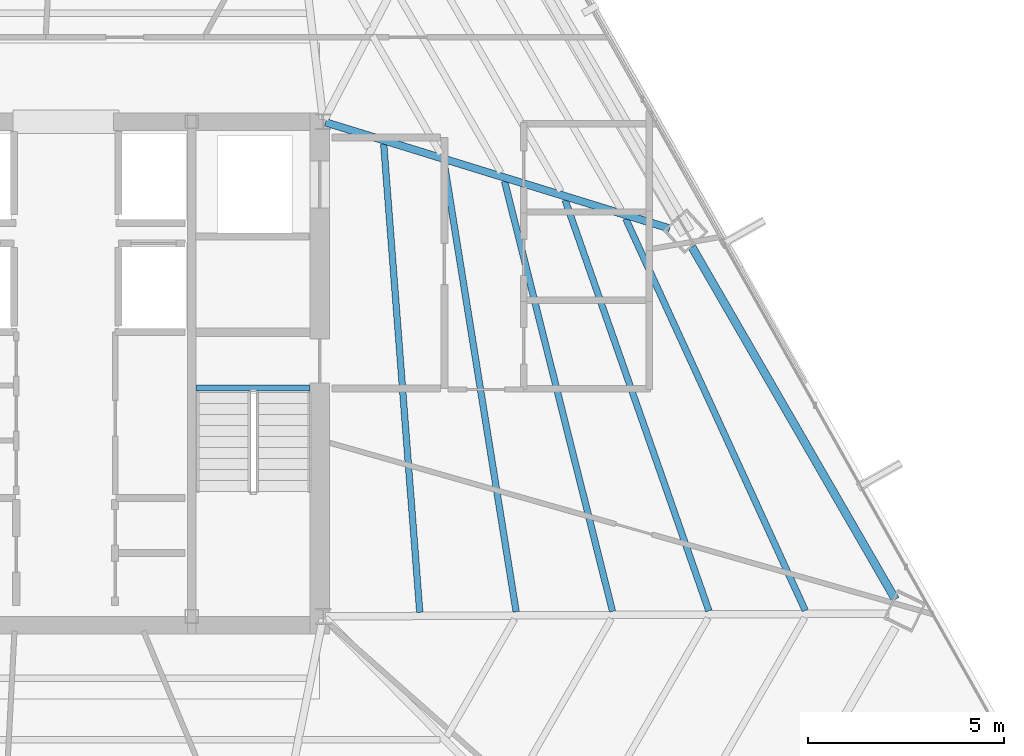
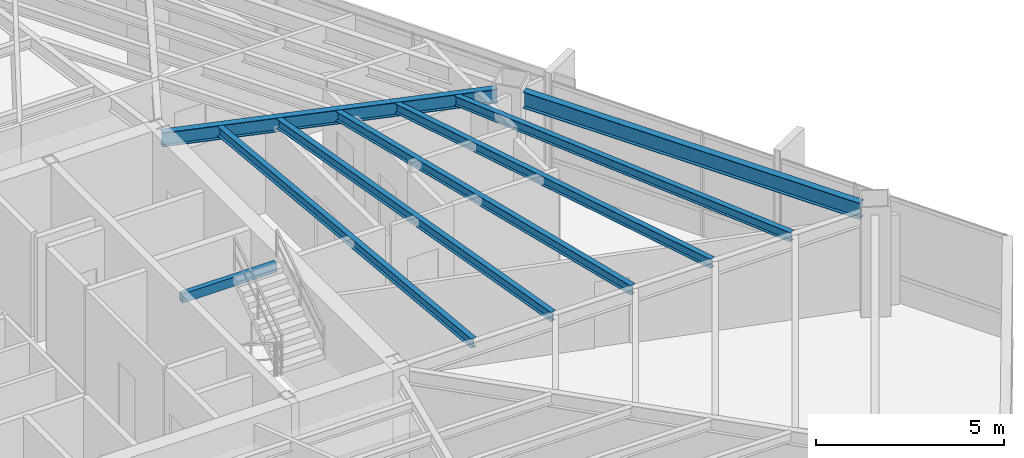
# One storey, part 23 of 42: 8 beams.
"""IFC4 building model written with IfcOpenShell, lengths in metres."""

from ifc_helpers import new_model, si_unit, direction, frame, origin, origin_2d, place, context, subcontext, project, spatial, hollow_rectangle, i_section, extrude, source, transform, mapped, material, material_profile, profile_set, type_object, type_shapes, element, save


model = new_model("IFC4")

# Units and contexts
model_context = context("Model", 3, precision=1e-05, world=origin(), true_north=direction((0.0, 1.0)))
body_context = subcontext(model_context, "Body", "Model", "MODEL_VIEW")
ifc_project = project(units=[si_unit("LENGTHUNIT", "METRE"), si_unit("AREAUNIT", "SQUARE_METRE"), si_unit("VOLUMEUNIT", "CUBIC_METRE"), si_unit("PLANEANGLEUNIT", "RADIAN"), si_unit("MASSUNIT", "GRAM", prefix="KILO")], contexts=[model_context])

# Site, building, storey
site_placement = place(None, origin())
site = spatial("IfcSite", under=ifc_project, at=site_placement, CompositionType="ELEMENT")
building_placement = place(site_placement, origin())
building = spatial("IfcBuilding", under=site, at=building_placement, Name="Caelisora Broadcast Tower", CompositionType="ELEMENT")
storey_placement = place(building_placement, frame((0.0, 0.0, 184.050048828125)))
storey = spatial("IfcBuildingStorey", under=building, at=storey_placement, Name="L48", CompositionType="ELEMENT", Elevation=184.050048828125)

# Beams
ifc_material_1 = material(Name="Steel Grade 350 (AS/NZS 1163 C350L0)", Category="steel")
ifc_material_profile_1 = material_profile(ifc_material_1, hollow_rectangle(XDim=0.14990234375, YDim=0.300048828125, WallThickness=0.010009765625, at=origin_2d()), Name="Steel Grade 350 (AS/NZS 1163 C350L0)")
ifc_profile_set_1 = profile_set([ifc_material_profile_1], Name="Steel Grade 350 (AS/NZS 1163 C350L0)")
beam_type_1 = type_object("IfcBeamType", Name="SB05", PredefinedType="JOIST", material=ifc_profile_set_1)
shared_shape_1 = source(origin(), body_context, "Body", "SweptSolid", [
    extrude(hollow_rectangle(XDim=0.14990234375, YDim=0.300048828125, WallThickness=0.010009765625, at=origin_2d()), origin(), (0.0, 0.0, 1.0), 2.89990234375),
])
type_shapes(beam_type_1, [shared_shape_1])
beam_1_placement = place(storey_placement, frame((42.260009765625, 23.219970703125, 3.25), z_axis=(1.0, 0.0, 0.0), x_axis=(0.0, 1.0, 0.0)))
element("IfcBeam", 1, at=beam_1_placement, inside=storey, type_object=beam_type_1, Name="L48 beam SB05", PredefinedType="JOIST", context=body_context, shape_type="MappedRepresentation", body=[
    mapped(shared_shape_1, transform((0.0, 0.0, 0.0), scale=1.0)),
])
ifc_material_2 = material(Name="Steel Grade 350 (AS/NZS 3679.1)", Category="steel")
ifc_material_profile_2 = material_profile(ifc_material_2, i_section(OverallWidth=0.166015625, OverallDepth=0.30712890625, WebThickness=0.006591796875, FlangeThickness=0.01171875, at=origin_2d()), Name="Steel Grade 350 (AS/NZS 3679.1)")
ifc_profile_set_2 = profile_set([ifc_material_profile_2], Name="Steel Grade 350 (AS/NZS 3679.1)")
beam_type_2 = type_object("IfcBeamType", Name="SB03", PredefinedType="JOIST", material=ifc_profile_set_2)
shared_shape_2 = source(origin(), body_context, "Body", "SweptSolid", [
    extrude(i_section(OverallWidth=0.166015625, OverallDepth=0.30712890625, WebThickness=0.006591796875, FlangeThickness=0.01171875, at=origin_2d()), origin(), (0.0, 0.0, 1.0), 11.2880859375),
])
beam_2_placement = place(storey_placement, frame((52.864501953125, 17.530029296875, 3.246337890625), z_axis=(-0.243466791036, 0.969909233724, 0.0), x_axis=(-0.969909233724, -0.243466791036, 0.0)))
element("IfcBeam", 2, at=beam_2_placement, inside=storey, type_object=beam_type_2, Name="L48 beam SB03", PredefinedType="JOIST", context=body_context, shape_type="MappedRepresentation", body=[
    mapped(shared_shape_2, transform((0.0, 0.0, 0.0), scale=1.0)),
])
ifc_material_profile_3 = material_profile(ifc_material_2, i_section(OverallWidth=0.208984375, OverallDepth=0.532958984375, WebThickness=0.01025390625, FlangeThickness=0.015625, at=origin_2d()), Name="Steel Grade 350 (AS/NZS 3679.1)")
ifc_profile_set_3 = profile_set([ifc_material_profile_3], Name="Steel Grade 350 (AS/NZS 3679.1)")
beam_type_3 = type_object("IfcBeamType", Name="PG05", PredefinedType="BEAM", material=ifc_profile_set_3)
shared_shape_3 = source(origin(), body_context, "Body", "SweptSolid", [
    extrude(i_section(OverallWidth=0.208984375, OverallDepth=0.532958984375, WebThickness=0.01025390625, FlangeThickness=0.015625, at=origin_2d()), origin(), (0.0, 0.0, 1.0), 10.360107421875),
])
type_shapes(beam_type_3, [shared_shape_3])
beam_3_placement = place(storey_placement, frame((60.067626953125, 17.83544921875, 3.133544921875), z_axis=(-0.500006673782, 0.86602155064, 0.0), x_axis=(-0.86602155064, -0.500006673782, 0.0)))
element("IfcBeam", 3, at=beam_3_placement, inside=storey, type_object=beam_type_3, Name="L48 beam PG05", PredefinedType="BEAM", context=body_context, shape_type="MappedRepresentation", body=[
    mapped(shared_shape_3, transform((0.0, 0.0, 0.0), scale=1.0)),
])
ifc_material_profile_4 = material_profile(ifc_material_2, i_section(OverallWidth=0.19091796875, OverallDepth=0.46044921875, WebThickness=0.010009765625, FlangeThickness=0.01611328125, at=origin_2d()), Name="Steel Grade 350 (AS/NZS 3679.1)")
ifc_profile_set_4 = profile_set([ifc_material_profile_4], Name="Steel Grade 350 (AS/NZS 3679.1)")
beam_type_4 = type_object("IfcBeamType", Name="PG06", PredefinedType="BEAM", material=ifc_profile_set_4)
shared_shape_4 = source(origin(), body_context, "Body", "SweptSolid", [
    extrude(i_section(OverallWidth=0.19091796875, OverallDepth=0.46044921875, WebThickness=0.010009765625, FlangeThickness=0.01611328125, at=origin_2d()), origin(), (0.0, 0.0, 1.0), 9.17041015625),
])
type_shapes(beam_type_4, [shared_shape_4])
beam_4_placement = place(storey_placement, frame((45.557373046875, 29.982421875, 3.169677734375), z_axis=(0.955554239501, -0.294815358099, 0.0), x_axis=(0.294815358099, 0.955554239501, 0.0)))
element("IfcBeam", 4, at=beam_4_placement, inside=storey, type_object=beam_type_4, Name="L48 beam PG06", PredefinedType="BEAM", context=body_context, shape_type="MappedRepresentation", body=[
    mapped(shared_shape_4, transform((0.0, 0.0, 0.0), scale=1.0)),
])
shared_shape_5 = source(origin(), body_context, "Body", "SweptSolid", [
    extrude(i_section(OverallWidth=0.166015625, OverallDepth=0.30712890625, WebThickness=0.006591796875, FlangeThickness=0.01171875, at=origin_2d()), origin(), (0.0, 0.0, 1.0), 11.959228515625),
])
beam_5_placement = place(storey_placement, frame((47.95556640625, 17.5048828125, 3.246337890625), z_axis=(-0.076758943432, 0.997049680108, 0.0), x_axis=(-0.997049680108, -0.076758943432, 0.0)))
element("IfcBeam", 5, at=beam_5_placement, inside=storey, type_object=beam_type_2, Name="L48 beam SB03", PredefinedType="JOIST", context=body_context, shape_type="MappedRepresentation", body=[
    mapped(shared_shape_5, transform((0.0, 0.0, 0.0), scale=1.0)),
])
shared_shape_6 = source(origin(), body_context, "Body", "SweptSolid", [
    extrude(i_section(OverallWidth=0.166015625, OverallDepth=0.30712890625, WebThickness=0.006591796875, FlangeThickness=0.01171875, at=origin_2d()), origin(), (0.0, 0.0, 1.0), 11.58251953125),
])
beam_6_placement = place(storey_placement, frame((50.410400390625, 17.517578125, 3.246337890625), z_axis=(-0.158362898928, 0.987380976241, 0.0), x_axis=(-0.987380976241, -0.158362898928, 0.0)))
element("IfcBeam", 6, at=beam_6_placement, inside=storey, type_object=beam_type_2, Name="L48 beam SB03", PredefinedType="JOIST", context=body_context, shape_type="MappedRepresentation", body=[
    mapped(shared_shape_6, transform((0.0, 0.0, 0.0), scale=1.0)),
])
shared_shape_7 = source(origin(), body_context, "Body", "SweptSolid", [
    extrude(i_section(OverallWidth=0.166015625, OverallDepth=0.30712890625, WebThickness=0.006591796875, FlangeThickness=0.01171875, at=origin_2d()), origin(), (0.0, 0.0, 1.0), 11.08203125),
])
beam_7_placement = place(storey_placement, frame((55.318115234375, 17.54248046875, 3.246337890625), z_axis=(-0.330276826159, 0.943884112644, 0.0), x_axis=(-0.943884112644, -0.330276826159, 0.0)))
element("IfcBeam", 7, at=beam_7_placement, inside=storey, type_object=beam_type_2, Name="L48 beam SB03", PredefinedType="JOIST", context=body_context, shape_type="MappedRepresentation", body=[
    mapped(shared_shape_7, transform((0.0, 0.0, 0.0), scale=1.0)),
])
shared_shape_8 = source(origin(), body_context, "Body", "SweptSolid", [
    extrude(i_section(OverallWidth=0.166015625, OverallDepth=0.30712890625, WebThickness=0.006591796875, FlangeThickness=0.01171875, at=origin_2d()), origin(), (0.0, 0.0, 1.0), 10.96826171875),
])
type_shapes(beam_type_2, [shared_shape_2, shared_shape_5, shared_shape_6, shared_shape_7, shared_shape_8])
beam_8_placement = place(storey_placement, frame((57.770751953125, 17.55517578125, 3.246337890625), z_axis=(-0.416576531124, 0.909100651037, 0.0), x_axis=(-0.909100651037, -0.416576531124, 0.0)))
element("IfcBeam", 8, at=beam_8_placement, inside=storey, type_object=beam_type_2, Name="L48 beam SB03", PredefinedType="JOIST", context=body_context, shape_type="MappedRepresentation", body=[
    mapped(shared_shape_8, transform((0.0, 0.0, 0.0), scale=1.0)),
])

save(model, "model.ifc")
